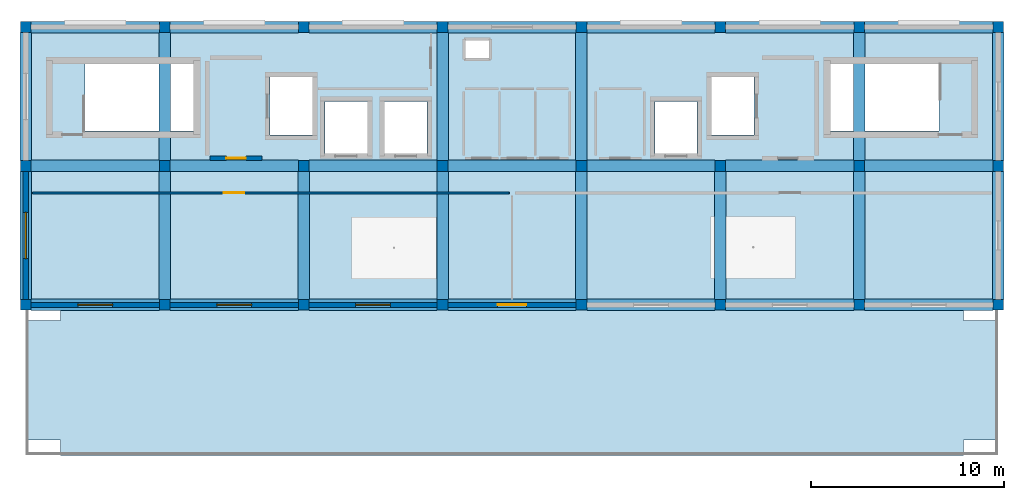
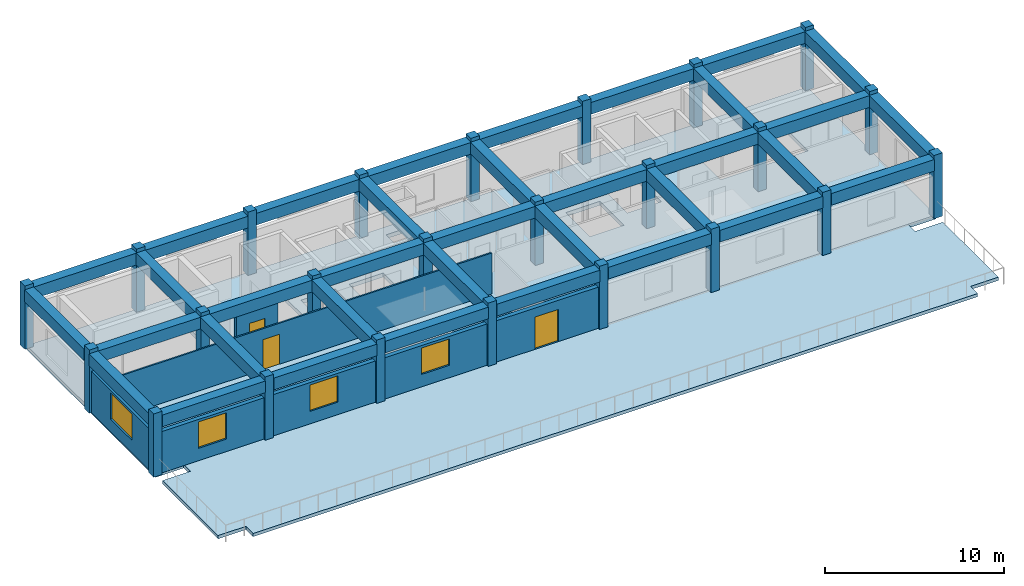
# One storey, part 1 of 6: 35 beams, 24 columns, 7 walls, 4 windows, 3 doors, 2 slabs, 7 openings.
"""IFC4 building model written with IfcOpenShell, lengths in metres."""

from ifc_helpers import new_model, si_unit, direction, frame, frame_2d, origin, origin_2d, place, context, subcontext, project, spatial, polyline, rectangle, outline, extrude, material, layer, layer_set, material_profile, profile_set, type_object, element, fill, save


model = new_model("IFC4")

# Units and contexts
model_context = context("Model", 3, precision=1e-05, world=origin(), true_north=direction((0.0, 1.0)))
body_context = subcontext(model_context, "Body", "Model", "MODEL_VIEW")
ifc_project = project(units=[si_unit("LENGTHUNIT", "METRE"), si_unit("AREAUNIT", "SQUARE_METRE"), si_unit("VOLUMEUNIT", "CUBIC_METRE"), si_unit("PLANEANGLEUNIT", "RADIAN"), si_unit("MASSUNIT", "GRAM", prefix="KILO")], contexts=[model_context])

# Site, building, storey
site_placement = place(None, origin())
site = spatial("IfcSite", under=ifc_project, at=site_placement, CompositionType="ELEMENT")
building_placement = place(site_placement, origin())
building = spatial("IfcBuilding", under=site, at=building_placement, Name="Kazehaya Institute of Natural Sciences", CompositionType="ELEMENT")
storey_placement = place(building_placement, frame((0.0, 0.0, 41.93994140625)))
storey = spatial("IfcBuildingStorey", under=building, at=storey_placement, Name="L09", CompositionType="ELEMENT", Elevation=41.93994140625)

# Columns
ifc_material_1 = material(Name="Concrete Fc36", Category="concrete")
ifc_material_profile_1 = material_profile(ifc_material_1, rectangle(XDim=0.550048828125, YDim=0.550048828125, at=origin_2d()), Name="RC-550x550")
ifc_profile_set_1 = profile_set([ifc_material_profile_1], Name="Concrete Fc36")
column_type = type_object("IfcColumnType", Name="COL-RC550", PredefinedType="COLUMN", material=ifc_profile_set_1)
for number, where, z_axis, x_axis, name in (
    (1, (61.800048828125, 14.0, 0.0), (0.0, 0.0, 1.0), (1.0, 0.0, 0.0), "L09 column COL-L09-1341"),
    (2, (69.0, 14.0, 0.0), (0.0, 0.0, 1.0), (1.0, 0.0, 0.0), "L09 column COL-L09-1342"),
    (3, (76.199951171875, 14.0, 0.0), (0.0, 0.0, 1.0), (1.0, 0.0, 0.0), "L09 column COL-L09-1343"),
    (4, (83.39990234375, 14.0, 0.0), (0.0, 0.0, 1.0), (1.0, 0.0, 0.0), "L09 column COL-L09-1344"),
    (5, (90.60009765625, 14.0, 0.0), (0.0, 0.0, 1.0), (1.0, 0.0, 0.0), "L09 column COL-L09-1345"),
    (6, (97.800048828125, 14.0, 0.0), (0.0, 0.0, 1.0), (1.0, 0.0, 0.0), "L09 column COL-L09-1346"),
    (7, (105.0, 14.0, 0.0), (0.0, 0.0, 1.0), (1.0, 0.0, 0.0), "L09 column COL-L09-1347"),
    (8, (112.199951171875, 14.0, 0.0), (0.0, 0.0, 1.0), (1.0, 0.0, 0.0), "L09 column COL-L09-1348"),
    (9, (61.800048828125, 21.199951171875, 0.0), (0.0, 0.0, 1.0), (1.0, 0.0, 0.0), "L09 column COL-L09-1349"),
    (10, (69.0, 21.199951171875, 0.0), (0.0, 0.0, 1.0), (1.0, 0.0, 0.0), "L09 column COL-L09-1350"),
    (11, (76.199951171875, 21.199951171875, 0.0), (0.0, 0.0, 1.0), (1.0, 0.0, 0.0), "L09 column COL-L09-1351"),
    (12, (83.39990234375, 21.199951171875, 0.0), (0.0, 0.0, 1.0), (1.0, 0.0, 0.0), "L09 column COL-L09-1352"),
    (13, (90.60009765625, 21.199951171875, 0.0), (0.0, 0.0, 1.0), (1.0, 0.0, 0.0), "L09 column COL-L09-1353"),
    (14, (97.800048828125, 21.199951171875, 0.0), (0.0, 0.0, 1.0), (1.0, 0.0, 0.0), "L09 column COL-L09-1354"),
    (15, (105.0, 21.199951171875, 0.0), (0.0, 0.0, 1.0), (1.0, 0.0, 0.0), "L09 column COL-L09-1355"),
    (16, (112.199951171875, 21.199951171875, 0.0), (0.0, 0.0, 1.0), (1.0, 0.0, 0.0), "L09 column COL-L09-1356"),
    (17, (61.800048828125, 28.39990234375, 0.0), (0.0, 0.0, 1.0), (1.0, 0.0, 0.0), "L09 column COL-L09-1357"),
    (18, (69.0, 28.39990234375, 0.0), (0.0, 0.0, 1.0), (1.0, 0.0, 0.0), "L09 column COL-L09-1358"),
    (19, (76.199951171875, 28.39990234375, 0.0), (0.0, 0.0, 1.0), (1.0, 0.0, 0.0), "L09 column COL-L09-1359"),
    (20, (83.39990234375, 28.39990234375, 0.0), (0.0, 0.0, 1.0), (1.0, 0.0, 0.0), "L09 column COL-L09-1360"),
    (21, (90.60009765625, 28.39990234375, 0.0), (0.0, 0.0, 1.0), (1.0, 0.0, 0.0), "L09 column COL-L09-1361"),
    (22, (97.800048828125, 28.39990234375, 0.0), (0.0, 0.0, 1.0), (1.0, 0.0, 0.0), "L09 column COL-L09-1362"),
    (23, (105.0, 28.39990234375, 0.0), (0.0, 0.0, 1.0), (1.0, 0.0, 0.0), "L09 column COL-L09-1363"),
    (24, (112.199951171875, 28.39990234375, 0.0), (0.0, 0.0, 1.0), (1.0, 0.0, 0.0), "L09 column COL-L09-1364"),
):
    element("IfcColumn", number, at=place(storey_placement, frame(where, z_axis=z_axis, x_axis=x_axis)), inside=storey, type_object=column_type, Name=name, PredefinedType="COLUMN", context=body_context, shape_type="SweptSolid", body=[
        extrude(rectangle(XDim=0.550048828125, YDim=0.550048828125, at=origin_2d()), origin(), (0.0, 0.0, 1.0), 4.320068359375),
    ])

# Beams
ifc_material_profile_2 = material_profile(ifc_material_1, rectangle(XDim=0.60009765625, YDim=0.800048828125, at=origin_2d()), Name="RC-600x800")
ifc_profile_set_2 = profile_set([ifc_material_profile_2], Name="Concrete Fc36")
beam_type = type_object("IfcBeamType", Name="BM-G-600x800", PredefinedType="BEAM", material=ifc_profile_set_2)
for number, where, z_axis, x_axis, name in (
    (25, (62.074951171875, 14.0, 3.670166015625), (1.0, 0.0, 0.0), (0.0, 1.0, 0.0), "L09 primary X girder BMX-L09-618-140"),
    (26, (69.27490234375, 14.0, 3.670166015625), (1.0, 0.0, 0.0), (0.0, 1.0, 0.0), "L09 primary X girder BMX-L09-690-140"),
):
    element("IfcBeam", number, at=place(storey_placement, frame(where, z_axis=z_axis, x_axis=x_axis)), inside=storey, type_object=beam_type, Name=name, PredefinedType="BEAM", context=body_context, shape_type="SweptSolid", body=[
        extrude(rectangle(XDim=0.60009765625, YDim=0.800048828125, at=origin_2d()), origin(), (0.0, 0.0, 1.0), 6.650146484375),
    ])
for number, where, z_axis, x_axis, name in (
    (27, (76.47509765625, 14.0, 3.670166015625), (1.0, 0.0, 0.0), (0.0, 1.0, 0.0), "L09 primary X girder BMX-L09-762-140"),
    (28, (83.675048828125, 14.0, 3.670166015625), (1.0, 0.0, 0.0), (0.0, 1.0, 0.0), "L09 primary X girder BMX-L09-834-140"),
    (29, (90.875, 14.0, 3.670166015625), (1.0, 0.0, 0.0), (0.0, 1.0, 0.0), "L09 primary X girder BMX-L09-906-140"),
):
    element("IfcBeam", number, at=place(storey_placement, frame(where, z_axis=z_axis, x_axis=x_axis)), inside=storey, type_object=beam_type, Name=name, PredefinedType="BEAM", context=body_context, shape_type="SweptSolid", body=[
        extrude(rectangle(XDim=0.60009765625, YDim=0.800048828125, at=origin_2d()), origin(), (0.0, 0.0, 1.0), 6.64990234375),
    ])
for number, where, z_axis, x_axis, name in (
    (30, (98.074951171875, 14.0, 3.670166015625), (1.0, 0.0, 0.0), (0.0, 1.0, 0.0), "L09 primary X girder BMX-L09-978-140"),
    (31, (105.27490234375, 14.0, 3.670166015625), (1.0, 0.0, 0.0), (0.0, 1.0, 0.0), "L09 primary X girder BMX-L09-1050-140"),
    (32, (62.074951171875, 21.199951171875, 3.670166015625), (1.0, 0.0, 0.0), (0.0, 1.0, 0.0), "L09 primary X girder BMX-L09-618-212"),
    (33, (69.27490234375, 21.199951171875, 3.670166015625), (1.0, 0.0, 0.0), (0.0, 1.0, 0.0), "L09 primary X girder BMX-L09-690-212"),
):
    element("IfcBeam", number, at=place(storey_placement, frame(where, z_axis=z_axis, x_axis=x_axis)), inside=storey, type_object=beam_type, Name=name, PredefinedType="BEAM", context=body_context, shape_type="SweptSolid", body=[
        extrude(rectangle(XDim=0.60009765625, YDim=0.800048828125, at=origin_2d()), origin(), (0.0, 0.0, 1.0), 6.650146484375),
    ])
for number, where, z_axis, x_axis, name in (
    (34, (76.47509765625, 21.199951171875, 3.670166015625), (1.0, 0.0, 0.0), (0.0, 1.0, 0.0), "L09 primary X girder BMX-L09-762-212"),
    (35, (83.675048828125, 21.199951171875, 3.670166015625), (1.0, 0.0, 0.0), (0.0, 1.0, 0.0), "L09 primary X girder BMX-L09-834-212"),
    (36, (90.875, 21.199951171875, 3.670166015625), (1.0, 0.0, 0.0), (0.0, 1.0, 0.0), "L09 primary X girder BMX-L09-906-212"),
):
    element("IfcBeam", number, at=place(storey_placement, frame(where, z_axis=z_axis, x_axis=x_axis)), inside=storey, type_object=beam_type, Name=name, PredefinedType="BEAM", context=body_context, shape_type="SweptSolid", body=[
        extrude(rectangle(XDim=0.60009765625, YDim=0.800048828125, at=origin_2d()), origin(), (0.0, 0.0, 1.0), 6.64990234375),
    ])
for number, where, z_axis, x_axis, name in (
    (37, (98.074951171875, 21.199951171875, 3.670166015625), (1.0, 0.0, 0.0), (0.0, 1.0, 0.0), "L09 primary X girder BMX-L09-978-212"),
    (38, (105.27490234375, 21.199951171875, 3.670166015625), (1.0, 0.0, 0.0), (0.0, 1.0, 0.0), "L09 primary X girder BMX-L09-1050-212"),
    (39, (62.074951171875, 28.39990234375, 3.670166015625), (1.0, 0.0, 0.0), (0.0, 1.0, 0.0), "L09 primary X girder BMX-L09-618-284"),
    (40, (69.27490234375, 28.39990234375, 3.670166015625), (1.0, 0.0, 0.0), (0.0, 1.0, 0.0), "L09 primary X girder BMX-L09-690-284"),
):
    element("IfcBeam", number, at=place(storey_placement, frame(where, z_axis=z_axis, x_axis=x_axis)), inside=storey, type_object=beam_type, Name=name, PredefinedType="BEAM", context=body_context, shape_type="SweptSolid", body=[
        extrude(rectangle(XDim=0.60009765625, YDim=0.800048828125, at=origin_2d()), origin(), (0.0, 0.0, 1.0), 6.650146484375),
    ])
for number, where, z_axis, x_axis, name in (
    (41, (76.47509765625, 28.39990234375, 3.670166015625), (1.0, 0.0, 0.0), (0.0, 1.0, 0.0), "L09 primary X girder BMX-L09-762-284"),
    (42, (83.675048828125, 28.39990234375, 3.670166015625), (1.0, 0.0, 0.0), (0.0, 1.0, 0.0), "L09 primary X girder BMX-L09-834-284"),
    (43, (90.875, 28.39990234375, 3.670166015625), (1.0, 0.0, 0.0), (0.0, 1.0, 0.0), "L09 primary X girder BMX-L09-906-284"),
):
    element("IfcBeam", number, at=place(storey_placement, frame(where, z_axis=z_axis, x_axis=x_axis)), inside=storey, type_object=beam_type, Name=name, PredefinedType="BEAM", context=body_context, shape_type="SweptSolid", body=[
        extrude(rectangle(XDim=0.60009765625, YDim=0.800048828125, at=origin_2d()), origin(), (0.0, 0.0, 1.0), 6.64990234375),
    ])
for number, where, z_axis, x_axis, name in (
    (44, (98.074951171875, 28.39990234375, 3.670166015625), (1.0, 0.0, 0.0), (0.0, 1.0, 0.0), "L09 primary X girder BMX-L09-978-284"),
    (45, (105.27490234375, 28.39990234375, 3.670166015625), (1.0, 0.0, 0.0), (0.0, 1.0, 0.0), "L09 primary X girder BMX-L09-1050-284"),
    (46, (61.800048828125, 14.27490234375, 3.670166015625), (0.0, 1.0, 0.0), (-1.0, 0.0, 0.0), "L09 primary Y girder BMY-L09-618-140"),
):
    element("IfcBeam", number, at=place(storey_placement, frame(where, z_axis=z_axis, x_axis=x_axis)), inside=storey, type_object=beam_type, Name=name, PredefinedType="BEAM", context=body_context, shape_type="SweptSolid", body=[
        extrude(rectangle(XDim=0.60009765625, YDim=0.800048828125, at=origin_2d()), origin(), (0.0, 0.0, 1.0), 6.650146484375),
    ])
beam_1_placement = place(storey_placement, frame((61.800048828125, 21.47509765625, 3.670166015625), z_axis=(0.0, 1.0, 0.0), x_axis=(-1.0, 0.0, 0.0)))
element("IfcBeam", 47, at=beam_1_placement, inside=storey, type_object=beam_type, Name="L09 primary Y girder BMY-L09-618-212", PredefinedType="BEAM", context=body_context, shape_type="SweptSolid", body=[
    extrude(rectangle(XDim=0.60009765625, YDim=0.800048828125, at=origin_2d()), origin(), (0.0, 0.0, 1.0), 6.64990234375),
])
beam_2_placement = place(storey_placement, frame((69.0, 14.27490234375, 3.670166015625), z_axis=(0.0, 1.0, 0.0), x_axis=(-1.0, 0.0, 0.0)))
element("IfcBeam", 48, at=beam_2_placement, inside=storey, type_object=beam_type, Name="L09 primary Y girder BMY-L09-690-140", PredefinedType="BEAM", context=body_context, shape_type="SweptSolid", body=[
    extrude(rectangle(XDim=0.60009765625, YDim=0.800048828125, at=origin_2d()), origin(), (0.0, 0.0, 1.0), 6.650146484375),
])
beam_3_placement = place(storey_placement, frame((69.0, 21.47509765625, 3.670166015625), z_axis=(0.0, 1.0, 0.0), x_axis=(-1.0, 0.0, 0.0)))
element("IfcBeam", 49, at=beam_3_placement, inside=storey, type_object=beam_type, Name="L09 primary Y girder BMY-L09-690-212", PredefinedType="BEAM", context=body_context, shape_type="SweptSolid", body=[
    extrude(rectangle(XDim=0.60009765625, YDim=0.800048828125, at=origin_2d()), origin(), (0.0, 0.0, 1.0), 6.64990234375),
])
for number, where, z_axis, x_axis, name in (
    (50, (76.199951171875, 14.27490234375, 3.670166015625), (0.0, 1.0, 0.0), (-1.0, 0.0, 0.0), "L09 primary Y girder BMY-L09-762-140"),
    (51, (83.39990234375, 14.27490234375, 3.670166015625), (0.0, 1.0, 0.0), (-1.0, 0.0, 0.0), "L09 primary Y girder BMY-L09-834-140"),
):
    element("IfcBeam", number, at=place(storey_placement, frame(where, z_axis=z_axis, x_axis=x_axis)), inside=storey, type_object=beam_type, Name=name, PredefinedType="BEAM", context=body_context, shape_type="SweptSolid", body=[
        extrude(rectangle(XDim=0.60009765625, YDim=0.800048828125, at=origin_2d()), origin(), (0.0, 0.0, 1.0), 6.650146484375),
    ])
beam_4_placement = place(storey_placement, frame((83.39990234375, 21.47509765625, 3.670166015625), z_axis=(0.0, 1.0, 0.0), x_axis=(-1.0, 0.0, 0.0)))
element("IfcBeam", 52, at=beam_4_placement, inside=storey, type_object=beam_type, Name="L09 primary Y girder BMY-L09-834-212", PredefinedType="BEAM", context=body_context, shape_type="SweptSolid", body=[
    extrude(rectangle(XDim=0.60009765625, YDim=0.800048828125, at=origin_2d()), origin(), (0.0, 0.0, 1.0), 6.64990234375),
])
beam_5_placement = place(storey_placement, frame((90.60009765625, 14.27490234375, 3.670166015625), z_axis=(0.0, 1.0, 0.0), x_axis=(-1.0, 0.0, 0.0)))
element("IfcBeam", 53, at=beam_5_placement, inside=storey, type_object=beam_type, Name="L09 primary Y girder BMY-L09-906-140", PredefinedType="BEAM", context=body_context, shape_type="SweptSolid", body=[
    extrude(rectangle(XDim=0.60009765625, YDim=0.800048828125, at=origin_2d()), origin(), (0.0, 0.0, 1.0), 6.650146484375),
])
beam_6_placement = place(storey_placement, frame((90.60009765625, 21.47509765625, 3.670166015625), z_axis=(0.0, 1.0, 0.0), x_axis=(-1.0, 0.0, 0.0)))
element("IfcBeam", 54, at=beam_6_placement, inside=storey, type_object=beam_type, Name="L09 primary Y girder BMY-L09-906-212", PredefinedType="BEAM", context=body_context, shape_type="SweptSolid", body=[
    extrude(rectangle(XDim=0.60009765625, YDim=0.800048828125, at=origin_2d()), origin(), (0.0, 0.0, 1.0), 6.64990234375),
])
for number, where, z_axis, x_axis, name in (
    (55, (97.800048828125, 14.27490234375, 3.670166015625), (0.0, 1.0, 0.0), (-1.0, 0.0, 0.0), "L09 primary Y girder BMY-L09-978-140"),
    (56, (105.0, 14.27490234375, 3.670166015625), (0.0, 1.0, 0.0), (-1.0, 0.0, 0.0), "L09 primary Y girder BMY-L09-1050-140"),
):
    element("IfcBeam", number, at=place(storey_placement, frame(where, z_axis=z_axis, x_axis=x_axis)), inside=storey, type_object=beam_type, Name=name, PredefinedType="BEAM", context=body_context, shape_type="SweptSolid", body=[
        extrude(rectangle(XDim=0.60009765625, YDim=0.800048828125, at=origin_2d()), origin(), (0.0, 0.0, 1.0), 6.650146484375),
    ])
beam_7_placement = place(storey_placement, frame((105.0, 21.47509765625, 3.670166015625), z_axis=(0.0, 1.0, 0.0), x_axis=(-1.0, 0.0, 0.0)))
element("IfcBeam", 57, at=beam_7_placement, inside=storey, type_object=beam_type, Name="L09 primary Y girder BMY-L09-1050-212", PredefinedType="BEAM", context=body_context, shape_type="SweptSolid", body=[
    extrude(rectangle(XDim=0.60009765625, YDim=0.800048828125, at=origin_2d()), origin(), (0.0, 0.0, 1.0), 6.64990234375),
])
beam_8_placement = place(storey_placement, frame((112.199951171875, 14.27490234375, 3.670166015625), z_axis=(0.0, 1.0, 0.0), x_axis=(-1.0, 0.0, 0.0)))
element("IfcBeam", 58, at=beam_8_placement, inside=storey, type_object=beam_type, Name="L09 primary Y girder BMY-L09-1122-140", PredefinedType="BEAM", context=body_context, shape_type="SweptSolid", body=[
    extrude(rectangle(XDim=0.60009765625, YDim=0.800048828125, at=origin_2d()), origin(), (0.0, 0.0, 1.0), 6.650146484375),
])
beam_9_placement = place(storey_placement, frame((112.199951171875, 21.47509765625, 3.670166015625), z_axis=(0.0, 1.0, 0.0), x_axis=(-1.0, 0.0, 0.0)))
element("IfcBeam", 59, at=beam_9_placement, inside=storey, type_object=beam_type, Name="L09 primary Y girder BMY-L09-1122-212", PredefinedType="BEAM", context=body_context, shape_type="SweptSolid", body=[
    extrude(rectangle(XDim=0.60009765625, YDim=0.800048828125, at=origin_2d()), origin(), (0.0, 0.0, 1.0), 6.64990234375),
])

# Slabs
ifc_layer_1 = layer(ifc_material_1, 0.27001953125, Name="Concrete Fc36", Category="concrete")
ifc_layer_set_1 = layer_set([ifc_layer_1], Name="Concrete Fc36")
slab_type_1 = type_object("IfcSlabType", Name="SL-FLR-270", PredefinedType="FLOOR", material=ifc_layer_set_1)
slab_1_placement = place(storey_placement, frame((0.0, 0.0, -0.27001953125)))
element("IfcSlab", 60, at=slab_1_placement, inside=storey, type_object=slab_type_1, Name="L09 structural slab L09-VOL4", PredefinedType="FLOOR", context=body_context, shape_type="SweptSolid", body=[
    extrude(outline(polyline([(61.800048828125, 14.0), (112.199951171875, 14.0), (112.199951171875, 28.39990234375), (61.800048828125, 28.39990234375), (61.800048828125, 14.0)]), holes=[polyline([(84.60009765625, 26.800048828125), (85.800048828125, 26.800048828125), (85.800048828125, 27.699951171875), (84.60009765625, 27.699951171875), (84.60009765625, 26.800048828125)]), polyline([(64.860107421875, 23.0), (70.5, 23.0), (70.5, 26.47998046875), (64.860107421875, 26.47998046875), (64.860107421875, 23.0)]), polyline([(103.5, 23.0), (109.139892578125, 23.0), (109.139892578125, 26.47998046875), (103.5, 26.47998046875), (103.5, 23.0)]), polyline([(74.449951171875, 22.800048828125), (76.64990234375, 22.800048828125), (76.64990234375, 25.800048828125), (74.449951171875, 25.800048828125), (74.449951171875, 22.800048828125)]), polyline([(97.35009765625, 22.800048828125), (99.550048828125, 22.800048828125), (99.550048828125, 25.800048828125), (97.35009765625, 25.800048828125), (97.35009765625, 22.800048828125)]), polyline([(77.300048828125, 21.85009765625), (79.5, 21.85009765625), (79.5, 24.550048828125), (77.300048828125, 24.550048828125), (77.300048828125, 21.85009765625)]), polyline([(80.39990234375, 21.85009765625), (82.60009765625, 21.85009765625), (82.60009765625, 24.550048828125), (80.39990234375, 24.550048828125), (80.39990234375, 21.85009765625)]), polyline([(94.39990234375, 21.85009765625), (96.60009765625, 21.85009765625), (96.60009765625, 24.550048828125), (94.39990234375, 24.550048828125), (94.39990234375, 21.85009765625)])]), origin(), (0.0, 0.0, 1.0), 0.27001953125),
])
ifc_layer_2 = layer(ifc_material_1, 0.219970703125, Name="Concrete Fc36", Category="concrete")
ifc_layer_set_2 = layer_set([ifc_layer_2], Name="Concrete Fc36")
slab_type_2 = type_object("IfcSlabType", Name="SL-TER-220", PredefinedType="FLOOR", material=ifc_layer_set_2)
slab_2_placement = place(storey_placement, frame((0.0, 0.0, -0.219970703125)))
element("IfcSlab", 61, at=slab_2_placement, inside=storey, type_object=slab_type_2, Name="L09 outdoor terrace slab EXT-L09-TERS", PredefinedType="FLOOR", context=body_context, shape_type="SweptSolid", body=[
    extrude(outline(polyline([(63.60009765625, 6.199951171875), (110.39990234375, 6.199951171875), (110.39990234375, 7.0), (112.199951171875, 7.0), (112.199951171875, 13.199951171875), (110.39990234375, 13.199951171875), (110.39990234375, 14.0), (63.60009765625, 14.0), (63.60009765625, 13.199951171875), (61.800048828125, 13.199951171875), (61.800048828125, 7.0), (63.60009765625, 7.0), (63.60009765625, 6.199951171875)])), origin(), (0.0, 0.0, 1.0), 0.219970703125),
])

# Wall, opening, door
ifc_material_2 = material(Name="Precast concrete Fc36", Category="concrete")
ifc_layer_3 = layer(ifc_material_2, 0.27001953125, Name="Precast concrete Fc36", Category="concrete")
ifc_layer_set_3 = layer_set([ifc_layer_3], Name="Precast concrete Fc36")
wall_type_1 = type_object("IfcWallType", Name="WL-EXT-270", PredefinedType="SOLIDWALL", material=ifc_layer_set_3)
wall_1_placement = place(storey_placement, frame((90.340087890625, 14.0, 0.0), z_axis=(0.0, 0.0, 1.0), x_axis=(-1.0, 0.0, 0.0)))
wall_1 = element("IfcWall", 62, at=wall_1_placement, inside=storey, type_object=wall_type_1, Name="L09 exterior wall EW-L09-0407", PredefinedType="SOLIDWALL", context=body_context, shape_type="SweptSolid", body=[
    extrude(rectangle(XDim=6.68017578125, YDim=0.27001953125, at=frame_2d((3.340087890625, 0.0))), origin(), (0.0, 0.0, 1.0), 2.820068359375),
])
opening_1_placement = place(wall_1_placement, frame((2.590087890625, 0.0, 0.0)))
opening_1 = element("IfcOpeningElement", 63, at=opening_1_placement, cuts=wall_1, Name="Opening D-TER-L09S", PredefinedType="OPENING", context=body_context, shape_type="SweptSolid", body=[
    extrude(rectangle(XDim=1.5, YDim=2.199951171875, at=frame_2d((0.75, 1.10009765625))), frame((0.0, 0.14501953125, 0.0), z_axis=(0.0, -1.0, 0.0), x_axis=(1.0, 0.0, 0.0)), (0.0, 0.0, 1.0), 0.2900390625),
])
ifc_material_3 = material(Name="Insulated bronze-clad steel door", Category="steel")
door_type_1 = type_object("IfcDoorType", Name="DT-TER-1500x2200", OperationType="DOUBLE_DOOR_SINGLE_SWING", PredefinedType="DOOR", material=ifc_material_3)
door_1_placement = place(opening_1_placement, origin())
door_1 = element("IfcDoor", 64, at=door_1_placement, inside=storey, type_object=door_type_1, Name="L09 exterior door D-TER-L09S", OperationType="DOUBLE_DOOR_SINGLE_SWING", OverallHeight=2.199951171875, OverallWidth=1.5, PredefinedType="DOOR", context=body_context, shape_type="SweptSolid", body=[
    extrude(rectangle(XDim=1.5, YDim=2.199951171875, at=frame_2d((0.75, 1.10009765625))), frame((0.0, 0.02490234375, 0.0), z_axis=(0.0, -1.0, 0.0), x_axis=(1.0, 0.0, 0.0)), (0.0, 0.0, 1.0), 0.050048828125),
])
fill(opening_1, door_1)

# Wall, opening, window
wall_2_placement = place(storey_placement, frame((83.139892578125, 14.0, 0.0), z_axis=(0.0, 0.0, 1.0), x_axis=(-1.0, 0.0, 0.0)))
wall_2 = element("IfcWall", 65, at=wall_2_placement, inside=storey, type_object=wall_type_1, Name="L09 exterior wall EW-L09-0408", PredefinedType="SOLIDWALL", context=body_context, shape_type="SweptSolid", body=[
    extrude(rectangle(XDim=6.679931640625, YDim=0.27001953125, at=frame_2d((3.33984375, 0.0))), origin(), (0.0, 0.0, 1.0), 2.820068359375),
])
opening_2_placement = place(wall_2_placement, frame((2.43994140625, 0.0, 0.85009765625)))
opening_2 = element("IfcOpeningElement", 66, at=opening_2_placement, cuts=wall_2, Name="Opening W11", PredefinedType="OPENING", context=body_context, shape_type="SweptSolid", body=[
    extrude(rectangle(XDim=1.800048828125, YDim=1.800048828125, at=frame_2d((0.89990234375, 0.89990234375))), frame((0.0, 0.14501953125, 0.0), z_axis=(0.0, -1.0, 0.0), x_axis=(1.0, 0.0, 0.0)), (0.0, 0.0, 1.0), 0.2900390625),
])
ifc_material_4 = material(Name="Low-E double-glazed aluminium window", Category="aluminium")
window_type_1 = type_object("IfcWindowType", Name="WN-11", PartitioningType="DOUBLE_PANEL_VERTICAL", PredefinedType="WINDOW", material=ifc_material_4)
window_1_placement = place(opening_2_placement, origin())
window_1 = element("IfcWindow", 67, at=window_1_placement, inside=storey, type_object=window_type_1, Name="L09 facade window 0259", OverallHeight=1.800048828125, OverallWidth=1.800048828125, PartitioningType="DOUBLE_PANEL_VERTICAL", PredefinedType="WINDOW", context=body_context, shape_type="SweptSolid", body=[
    extrude(rectangle(XDim=1.800048828125, YDim=1.800048828125, at=frame_2d((0.89990234375, 0.89990234375))), frame((0.0, 0.030029296875, 0.0), z_axis=(0.0, -1.0, 0.0), x_axis=(1.0, 0.0, 0.0)), (0.0, 0.0, 1.0), 0.06005859375),
])
fill(opening_2, window_1)

wall_3_placement = place(storey_placement, frame((75.93994140625, 14.0, 0.0), z_axis=(0.0, 0.0, 1.0), x_axis=(-1.0, 0.0, 0.0)))
wall_3 = element("IfcWall", 68, at=wall_3_placement, inside=storey, type_object=wall_type_1, Name="L09 exterior wall EW-L09-0409", PredefinedType="SOLIDWALL", context=body_context, shape_type="SweptSolid", body=[
    extrude(rectangle(XDim=6.679931640625, YDim=0.27001953125, at=frame_2d((3.33984375, 0.0))), origin(), (0.0, 0.0, 1.0), 2.820068359375),
])
opening_3_placement = place(wall_3_placement, frame((2.43994140625, 0.0, 0.85009765625)))
opening_3 = element("IfcOpeningElement", 69, at=opening_3_placement, cuts=wall_3, Name="Opening W11", PredefinedType="OPENING", context=body_context, shape_type="SweptSolid", body=[
    extrude(rectangle(XDim=1.800048828125, YDim=1.800048828125, at=frame_2d((0.89990234375, 0.89990234375))), frame((0.0, 0.14501953125, 0.0), z_axis=(0.0, -1.0, 0.0), x_axis=(1.0, 0.0, 0.0)), (0.0, 0.0, 1.0), 0.2900390625),
])
window_2_placement = place(opening_3_placement, origin())
window_2 = element("IfcWindow", 70, at=window_2_placement, inside=storey, type_object=window_type_1, Name="L09 facade window 0260", OverallHeight=1.800048828125, OverallWidth=1.800048828125, PartitioningType="DOUBLE_PANEL_VERTICAL", PredefinedType="WINDOW", context=body_context, shape_type="SweptSolid", body=[
    extrude(rectangle(XDim=1.800048828125, YDim=1.800048828125, at=frame_2d((0.89990234375, 0.89990234375))), frame((0.0, 0.030029296875, 0.0), z_axis=(0.0, -1.0, 0.0), x_axis=(1.0, 0.0, 0.0)), (0.0, 0.0, 1.0), 0.06005859375),
])
fill(opening_3, window_2)

wall_4_placement = place(storey_placement, frame((68.739990234375, 14.0, 0.0), z_axis=(0.0, 0.0, 1.0), x_axis=(-1.0, 0.0, 0.0)))
wall_4 = element("IfcWall", 71, at=wall_4_placement, inside=storey, type_object=wall_type_1, Name="L09 exterior wall EW-L09-0410", PredefinedType="SOLIDWALL", context=body_context, shape_type="SweptSolid", body=[
    extrude(rectangle(XDim=6.679931640625, YDim=0.27001953125, at=frame_2d((3.33984375, 0.0))), origin(), (0.0, 0.0, 1.0), 2.820068359375),
])
opening_4_placement = place(wall_4_placement, frame((2.43994140625, 0.0, 0.85009765625)))
opening_4 = element("IfcOpeningElement", 72, at=opening_4_placement, cuts=wall_4, Name="Opening W11", PredefinedType="OPENING", context=body_context, shape_type="SweptSolid", body=[
    extrude(rectangle(XDim=1.800048828125, YDim=1.800048828125, at=frame_2d((0.89990234375, 0.89990234375))), frame((0.0, 0.14501953125, 0.0), z_axis=(0.0, -1.0, 0.0), x_axis=(1.0, 0.0, 0.0)), (0.0, 0.0, 1.0), 0.2900390625),
])
window_3_placement = place(opening_4_placement, origin())
window_3 = element("IfcWindow", 73, at=window_3_placement, inside=storey, type_object=window_type_1, Name="L09 facade window 0261", OverallHeight=1.800048828125, OverallWidth=1.800048828125, PartitioningType="DOUBLE_PANEL_VERTICAL", PredefinedType="WINDOW", context=body_context, shape_type="SweptSolid", body=[
    extrude(rectangle(XDim=1.800048828125, YDim=1.800048828125, at=frame_2d((0.89990234375, 0.89990234375))), frame((0.0, 0.030029296875, 0.0), z_axis=(0.0, -1.0, 0.0), x_axis=(1.0, 0.0, 0.0)), (0.0, 0.0, 1.0), 0.06005859375),
])
fill(opening_4, window_3)

wall_5_placement = place(storey_placement, frame((61.800048828125, 14.260009765625, 0.0), z_axis=(0.0, 0.0, 1.0), x_axis=(0.0, 1.0, 0.0)))
wall_5 = element("IfcWall", 74, at=wall_5_placement, inside=storey, type_object=wall_type_1, Name="L09 exterior wall EW-L09-0418", PredefinedType="SOLIDWALL", context=body_context, shape_type="SweptSolid", body=[
    extrude(rectangle(XDim=6.679931640625, YDim=0.27001953125, at=frame_2d((3.33984375, 0.0))), origin(), (0.0, 0.0, 1.0), 2.820068359375),
])
opening_5_placement = place(wall_5_placement, frame((2.139892578125, 0.0, 0.85009765625)))
opening_5 = element("IfcOpeningElement", 75, at=opening_5_placement, cuts=wall_5, Name="Opening W13", PredefinedType="OPENING", context=body_context, shape_type="SweptSolid", body=[
    extrude(rectangle(XDim=2.39990234375, YDim=1.800048828125, at=frame_2d((1.199951171875, 0.89990234375))), frame((0.0, 0.14501953125, 0.0), z_axis=(0.0, -1.0, 0.0), x_axis=(1.0, 0.0, 0.0)), (0.0, 0.0, 1.0), 0.2900390625),
])
window_type_2 = type_object("IfcWindowType", Name="WN-13", PartitioningType="DOUBLE_PANEL_VERTICAL", PredefinedType="WINDOW", material=ifc_material_4)
window_4_placement = place(opening_5_placement, origin())
window_4 = element("IfcWindow", 76, at=window_4_placement, inside=storey, type_object=window_type_2, Name="L09 facade window 0263", OverallHeight=1.800048828125, OverallWidth=2.39990234375, PartitioningType="DOUBLE_PANEL_VERTICAL", PredefinedType="WINDOW", context=body_context, shape_type="SweptSolid", body=[
    extrude(rectangle(XDim=2.39990234375, YDim=1.800048828125, at=frame_2d((1.199951171875, 0.89990234375))), frame((0.0, 0.030029296875, 0.0), z_axis=(0.0, -1.0, 0.0), x_axis=(1.0, 0.0, 0.0)), (0.0, 0.0, 1.0), 0.06005859375),
])
fill(opening_5, window_4)

# Wall, opening, door
ifc_layer_4 = layer(ifc_material_1, 0.22998046875, Name="Concrete Fc36", Category="concrete")
ifc_layer_set_4 = layer_set([ifc_layer_4], Name="Concrete Fc36")
wall_type_2 = type_object("IfcWallType", Name="WL-FFL-230", PredefinedType="PARTITIONING", material=ifc_layer_set_4)
wall_6_placement = place(storey_placement, frame((74.050048828125, 21.60009765625, 0.0), z_axis=(0.0, 0.0, 1.0), x_axis=(-1.0, 0.0, 0.0)))
wall_6 = element("IfcWall", 77, at=wall_6_placement, inside=storey, type_object=wall_type_2, Name="L09 West Firefighting Lift Lobby partition IW-L09-0380", PredefinedType="PARTITIONING", context=body_context, shape_type="SweptSolid", body=[
    extrude(rectangle(XDim=2.699951171875, YDim=0.22998046875, at=frame_2d((1.35009765625, 0.0))), origin(), (0.0, 0.0, 1.0), 2.800048828125),
])
opening_6_placement = place(wall_6_placement, frame((0.840087890625, 0.0, 0.0)))
opening_6 = element("IfcOpeningElement", 78, at=opening_6_placement, cuts=wall_6, Name="Opening D-L09-0205", PredefinedType="OPENING", context=body_context, shape_type="SweptSolid", body=[
    extrude(rectangle(XDim=1.02001953125, YDim=2.06005859375, at=frame_2d((0.510009765625, 1.030029296875))), frame((0.0, 0.125, 0.0), z_axis=(0.0, -1.0, 0.0), x_axis=(1.0, 0.0, 0.0)), (0.0, 0.0, 1.0), 0.25),
])
ifc_material_5 = material(Name="Fire-rated steel acoustic door", Category="steel")
door_type_2 = type_object("IfcDoorType", Name="DT-FD-10", OperationType="NOTDEFINED", PredefinedType="DOOR", material=ifc_material_5)
door_2_placement = place(opening_6_placement, origin())
door_2 = element("IfcDoor", 79, at=door_2_placement, inside=storey, type_object=door_type_2, Name="L09 West Firefighting Lift Lobby door D-L09-0205", OperationType="SINGLE_SWING_RIGHT", OverallHeight=2.06005859375, OverallWidth=1.02001953125, PredefinedType="DOOR", context=body_context, shape_type="SweptSolid", body=[
    extrude(rectangle(XDim=1.02001953125, YDim=2.06005859375, at=frame_2d((0.510009765625, 1.030029296875))), frame((0.0, 0.02490234375, 0.0), z_axis=(0.0, -1.0, 0.0), x_axis=(1.0, 0.0, 0.0)), (0.0, 0.0, 1.0), 0.050048828125),
])
fill(opening_6, door_2)

ifc_material_6 = material(Name="Lightweight chase partition")
ifc_layer_5 = layer(ifc_material_6, 0.10009765625, Name="Lightweight chase partition")
ifc_layer_set_5 = layer_set([ifc_layer_5], Name="Lightweight chase partition")
wall_type_3 = type_object("IfcWallType", Name="WL-PART-100", PredefinedType="PARTITIONING", material=ifc_layer_set_5)
wall_7_placement = place(storey_placement, frame((62.14990234375, 19.800048828125, 0.0), z_axis=(0.0, 0.0, 1.0), x_axis=(1.0, 0.0, 0.0)))
wall_7 = element("IfcWall", 80, at=wall_7_placement, inside=storey, type_object=wall_type_3, Name="L09 Research Library and Reading Room partition IW-L09-0400", PredefinedType="PARTITIONING", context=body_context, shape_type="SweptSolid", body=[
    extrude(rectangle(XDim=24.7001953125, YDim=0.10009765625, at=frame_2d((12.35009765625, 0.0))), origin(), (0.0, 0.0, 1.0), 2.800048828125),
])
opening_7_placement = place(wall_7_placement, frame((9.9150390625, 0.0, 0.0)))
opening_7 = element("IfcOpeningElement", 81, at=opening_7_placement, cuts=wall_7, Name="Opening D-L09-0211", PredefinedType="OPENING", context=body_context, shape_type="SweptSolid", body=[
    extrude(rectangle(XDim=1.070068359375, YDim=2.050048828125, at=frame_2d((0.53515625, 1.02490234375))), frame((0.0, 0.06005859375, 0.0), z_axis=(0.0, -1.0, 0.0), x_axis=(1.0, 0.0, 0.0)), (0.0, 0.0, 1.0), 0.1201171875),
])
ifc_material_7 = material(Name="Flush timber and aluminium laboratory door", Category="wood")
door_type_3 = type_object("IfcDoorType", Name="DT-INT-21", OperationType="NOTDEFINED", PredefinedType="DOOR", material=ifc_material_7)
door_3_placement = place(opening_7_placement, origin())
door_3 = element("IfcDoor", 82, at=door_3_placement, inside=storey, type_object=door_type_3, Name="L09 Research Library and Reading Room door D-L09-0211", OperationType="SINGLE_SWING_RIGHT", OverallHeight=2.050048828125, OverallWidth=1.070068359375, PredefinedType="DOOR", context=body_context, shape_type="SweptSolid", body=[
    extrude(rectangle(XDim=1.070068359375, YDim=2.050048828125, at=frame_2d((0.53515625, 1.02490234375))), frame((0.0, 0.02490234375, 0.0), z_axis=(0.0, -1.0, 0.0), x_axis=(1.0, 0.0, 0.0)), (0.0, 0.0, 1.0), 0.050048828125),
])
fill(opening_7, door_3)

save(model, "model.ifc")
